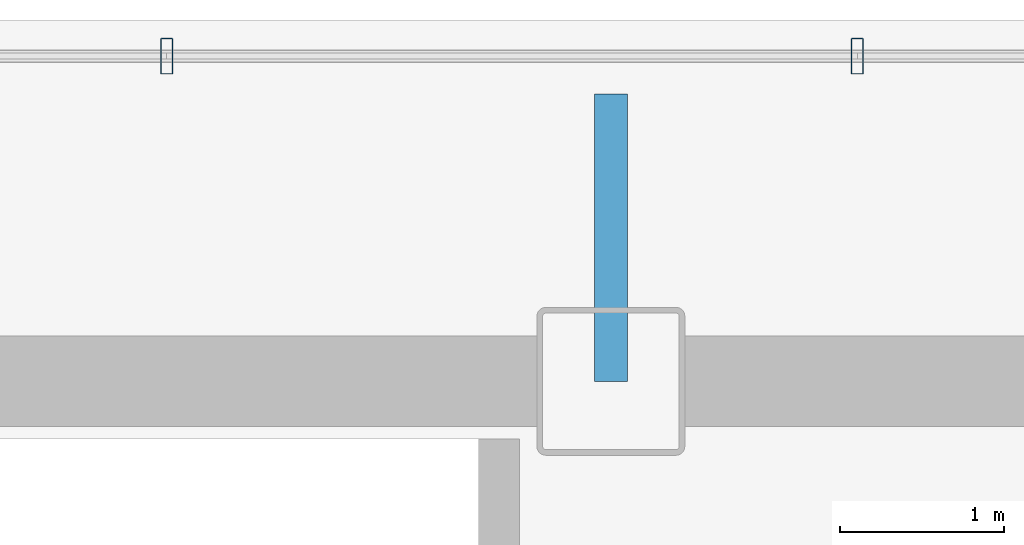
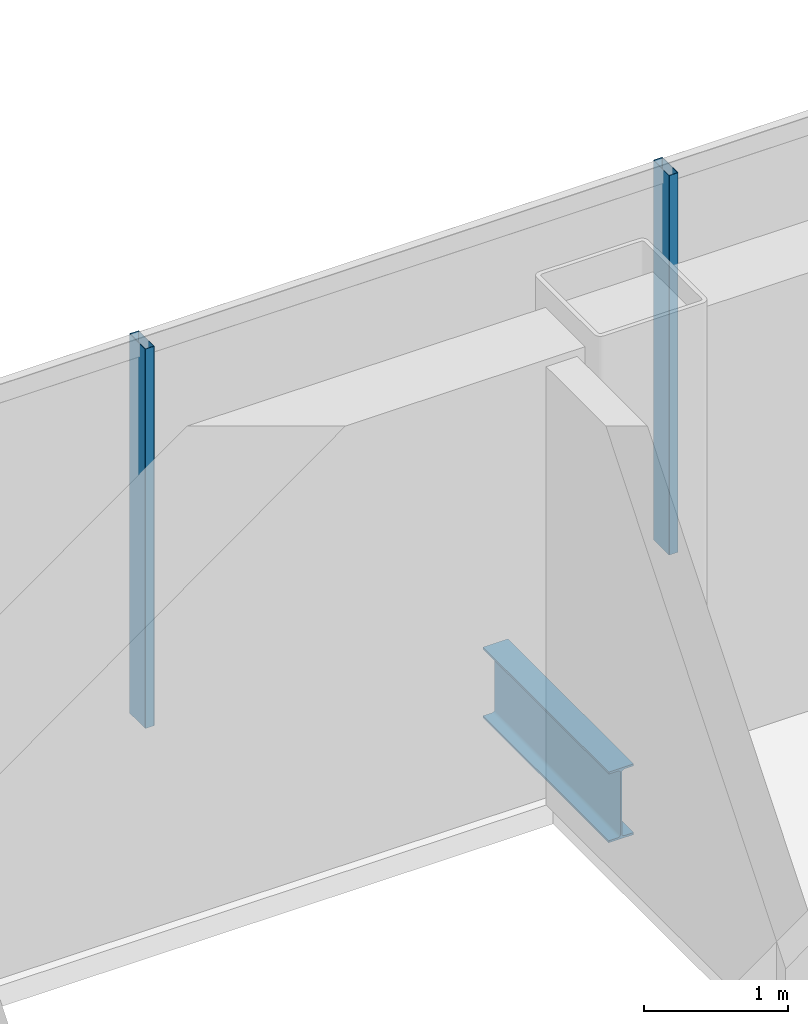
# One storey, part 9 of 20: 2 members, 1 beam, 1 element without a shape of its own.
"""IFC4 building model written with IfcOpenShell, lengths in metres."""

from ifc_helpers import new_model, si_unit, direction, frame, origin, origin_2d, place, context, subcontext, project, spatial, hollow_rectangle, i_section, extrude, material, material_profile, profile_set, type_object, element, aggregate, save


model = new_model("IFC4")

# Units and contexts
model_context = context("Model", 3, precision=1e-05, world=origin(), true_north=direction((0.0, 1.0)))
body_context = subcontext(model_context, "Body", "Model", "MODEL_VIEW")
ifc_project = project(units=[si_unit("LENGTHUNIT", "METRE"), si_unit("AREAUNIT", "SQUARE_METRE"), si_unit("VOLUMEUNIT", "CUBIC_METRE"), si_unit("PLANEANGLEUNIT", "RADIAN"), si_unit("MASSUNIT", "GRAM", prefix="KILO")], contexts=[model_context])

# Site, building, storey
site_placement = place(None, origin())
site = spatial("IfcSite", under=ifc_project, at=site_placement, CompositionType="ELEMENT")
building_placement = place(site_placement, origin())
building = spatial("IfcBuilding", under=site, at=building_placement, Name="Noeulbin Bourse Tower", CompositionType="ELEMENT")
storey_placement = place(building_placement, frame((0.0, 0.0, 122.699951171875)))
storey = spatial("IfcBuildingStorey", under=building, at=storey_placement, Name="L30", CompositionType="ELEMENT", Elevation=122.699951171875)

# Beam
ifc_material_1 = material(Name="Steel S355", Category="steel")
ifc_material_profile_1 = material_profile(ifc_material_1, i_section(OverallWidth=0.199951171875, OverallDepth=0.60009765625, WebThickness=0.010986328125, FlangeThickness=0.01708984375, FilletRadius=0.02197265625, at=origin_2d()), Name="H-600x200x11x17", Category="LoadBearing")
ifc_profile_set_1 = profile_set([ifc_material_profile_1], Name="Steel S355")
beam_type = type_object("IfcBeamType", Name="BM-GRD-600", PredefinedType="USERDEFINED", material=ifc_profile_set_1)
beam_placement = place(storey_placement, frame((24.0, 38.300048828125, -0.47998046875), z_axis=(0.0, 1.0, 0.0), x_axis=(-1.0, 0.0, 0.0)))
element("IfcBeam", 1, at=beam_placement, inside=storey, type_object=beam_type, Name="Tower Primary Girder NS L30-2.4", ObjectType="GIRDER", PredefinedType="USERDEFINED", context=body_context, shape_type="SweptSolid", body=[
    extrude(i_section(OverallWidth=0.199951171875, OverallDepth=0.60009765625, WebThickness=0.010986328125, FlangeThickness=0.01708984375, FilletRadius=0.02197265625, at=origin_2d()), origin(), (0.0, 0.0, 1.0), 1.75),
])

# Curtain wall, members
ifc_material_2 = material(Name="Dark Tinted Triple Glazing", Category="glass")
curtain_wall_type = type_object("IfcCurtainWallType", Name="CW-SYS-3", PredefinedType="NOTDEFINED", material=ifc_material_2)
curtain_wall_placement = place(storey_placement, origin())
curtain_wall = element("IfcCurtainWall", 2, at=curtain_wall_placement, inside=storey, type_object=curtain_wall_type, Name="Unitised Curtain Wall CW-L30-N", PredefinedType="NOTDEFINED")
ifc_material_3 = material(Name="Anodised Aluminium 6063-T6", Category="aluminium")
ifc_material_profile_2 = material_profile(ifc_material_3, hollow_rectangle(XDim=0.074951171875, YDim=0.219970703125, WallThickness=0.0048828125, InnerFilletRadius=0.00244140625, OuterFilletRadius=0.0048828125, at=origin_2d()), Name="ALU-MULL-75x220x5", Category="LoadBearing")
ifc_profile_set_2 = profile_set([ifc_material_profile_2], Name="Anodised Aluminium 6063-T6")
member_type = type_object("IfcMemberType", Name="CW-SYS-3-MUL", PredefinedType="MULLION", material=ifc_profile_set_2)
member_1_placement = place(storey_placement, frame((21.2958984375, 40.280029296875, -0.02001953125), z_axis=(0.0, 0.0, 1.0), x_axis=(1.0, 0.0, 0.0)))
member_1 = element("IfcMember", 3, at=member_1_placement, type_object=member_type, Name="Curtain Wall Mullion CW-L30-N-M04", PredefinedType="MULLION", context=body_context, shape_type="SweptSolid", body=[
    extrude(hollow_rectangle(XDim=0.074951171875, YDim=0.219970703125, WallThickness=0.0048828125, InnerFilletRadius=0.00244140625, OuterFilletRadius=0.0048828125, at=origin_2d()), origin(), (0.0, 0.0, 1.0), 3.219970703125),
])
member_2_placement = place(storey_placement, frame((25.5, 40.280029296875, -0.02001953125), z_axis=(0.0, 0.0, 1.0), x_axis=(1.0, 0.0, 0.0)))
member_2 = element("IfcMember", 4, at=member_2_placement, type_object=member_type, Name="Curtain Wall Mullion CW-L30-N-M05", PredefinedType="MULLION", context=body_context, shape_type="SweptSolid", body=[
    extrude(hollow_rectangle(XDim=0.074951171875, YDim=0.219970703125, WallThickness=0.0048828125, InnerFilletRadius=0.00244140625, OuterFilletRadius=0.0048828125, at=origin_2d()), origin(), (0.0, 0.0, 1.0), 3.219970703125),
])
aggregate(curtain_wall, [member_1, member_2])

save(model, "model.ifc")
